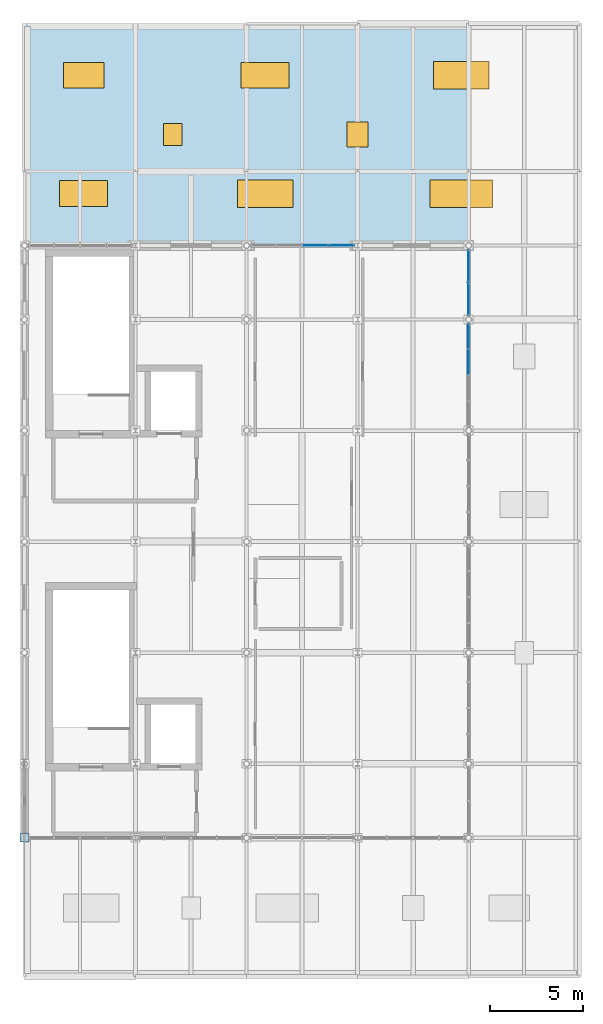
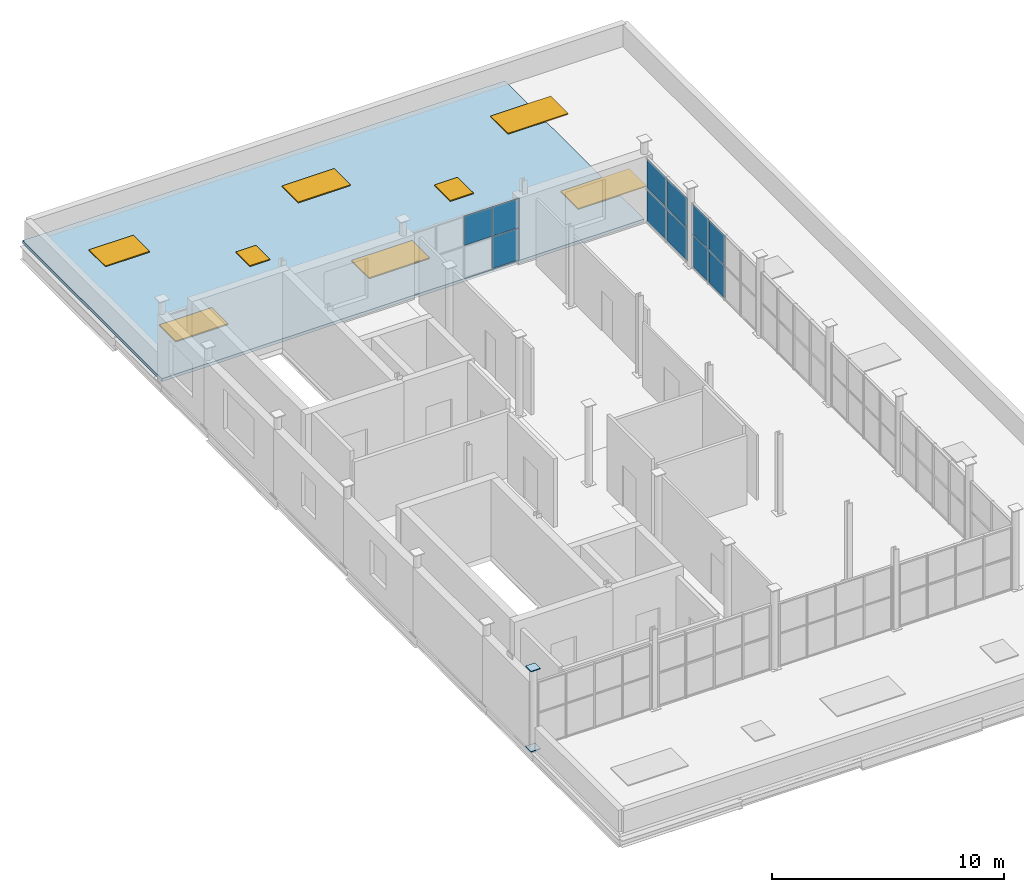
# One storey, part 23 of 27: 13 plates, 6 windows, 2 doors, 1 slab, 8 openings, 3 elements without a shape of their own.
"""IFC4 building model written with IfcOpenShell, lengths in metres."""

from ifc_helpers import new_model, si_unit, direction, frame, origin, origin_2d, place, context, subcontext, project, spatial, polyline, rectangle, outline, extrude, material, layer, layer_set, type_object, element, fill, aggregate, save


model = new_model("IFC4")

# Units and contexts
model_context = context("Model", 3, precision=1e-05, world=origin(), true_north=direction((0.0, 1.0)))
body_context = subcontext(model_context, "Body", "Model", "MODEL_VIEW")
ifc_project = project(units=[si_unit("LENGTHUNIT", "METRE"), si_unit("AREAUNIT", "SQUARE_METRE"), si_unit("VOLUMEUNIT", "CUBIC_METRE"), si_unit("PLANEANGLEUNIT", "RADIAN"), si_unit("MASSUNIT", "GRAM", prefix="KILO")], contexts=[model_context])

# Site, building, storey
site_placement = place(None, origin())
site = spatial("IfcSite", under=ifc_project, at=site_placement, CompositionType="ELEMENT")
building_placement = place(site_placement, origin())
building = spatial("IfcBuilding", under=site, at=building_placement, Name="Verrall Gate Interchange", CompositionType="ELEMENT")
storey_placement = place(building_placement, frame((0.0, 0.0, 28.60009765625)))
storey = spatial("IfcBuildingStorey", under=building, at=storey_placement, Name="L07", CompositionType="ELEMENT", Elevation=28.60009765625)

# Plates
ifc_material_1 = material(Name="Structural Steel CSA G40.21 350WT Cat 4", Category="steel")
ifc_layer_1 = layer(ifc_material_1, 0.0400390625)
ifc_layer_set_1 = layer_set([ifc_layer_1], Name="Structural Steel CSA G40.21 350WT Cat 4")
plate_type_1 = type_object("IfcPlateType", Name="BP-01 Base Plate 40", PredefinedType="USERDEFINED", material=ifc_layer_set_1)
for number, where, z_axis, x_axis, name in (
    (1, (6.0, 12.0, -0.02001953125), (0.0, 0.0, 1.0), (1.0, 0.0, 0.0), "L07 Hollow Column Transition Cap Plate 0152"),
    (2, (6.0, 12.0, 4.199951171875), (0.0, 0.0, 1.0), (1.0, 0.0, 0.0), "L07 Hollow Column Top Cap Plate 0153"),
):
    element("IfcPlate", number, at=place(storey_placement, frame(where, z_axis=z_axis, x_axis=x_axis)), inside=storey, type_object=plate_type_1, Name=name, ObjectType="BASE_PLATE", PredefinedType="USERDEFINED", context=body_context, shape_type="SweptSolid", body=[
        extrude(rectangle(XDim=0.47998046875, YDim=0.47998046875, at=origin_2d()), origin(), (0.0, 0.0, 1.0), 0.0400390625),
    ])

# Curtain wall, plates
ifc_material_2 = material(Name="Thermally Broken Anodized Aluminium Curtain Wall Framing", Category="aluminium")
curtain_wall_type_1 = type_object("IfcCurtainWallType", Name="CW-50 Unitized Curtain Wall 5647x3420", PredefinedType="NOTDEFINED", material=ifc_material_2)
curtain_wall_1_placement = place(storey_placement, origin())
curtain_wall_1 = element("IfcCurtainWall", 3, at=curtain_wall_1_placement, inside=storey, type_object=curtain_wall_type_1, Name="L07 Unitized Curtain Wall CW-L07-160", PredefinedType="NOTDEFINED")
ifc_material_3 = material(Name="Triple-Glazed Low-E Argon Insulated Curtain Panel (U=1.45)", Category="glass")
ifc_layer_2 = layer(ifc_material_3, 0.030029296875)
ifc_layer_set_2 = layer_set([ifc_layer_2], Name="Triple-Glazed Low-E Argon Insulated Curtain Panel (U=1.45)")
plate_type_2 = type_object("IfcPlateType", Name="CP-01 Curtain Glazing Panel 30", PredefinedType="CURTAIN_PANEL", material=ifc_layer_set_2)
plate_1_placement = place(storey_placement, frame((30.0, 37.701416015625, 0.054443359375), z_axis=(0.0, 0.0, 1.0), x_axis=(0.0, 1.0, 0.0)))
plate_1 = element("IfcPlate", 4, at=plate_1_placement, type_object=plate_type_2, Name="CW-L07-160 Glazing Panel 3.1", PredefinedType="CURTAIN_PANEL", context=body_context, shape_type="SweptSolid", body=[
    extrude(rectangle(XDim=1.35888671875, YDim=0.030029296875, at=origin_2d()), origin(), (0.0, 0.0, 1.0), 1.70166015625),
])
plate_2_placement = place(storey_placement, frame((30.0, 37.701416015625, 1.80029296875), z_axis=(0.0, 0.0, 1.0), x_axis=(0.0, 1.0, 0.0)))
plate_2 = element("IfcPlate", 5, at=plate_2_placement, type_object=plate_type_2, Name="CW-L07-160 Glazing Panel 3.2", PredefinedType="CURTAIN_PANEL", context=body_context, shape_type="SweptSolid", body=[
    extrude(rectangle(XDim=1.35888671875, YDim=0.030029296875, at=origin_2d()), origin(), (0.0, 0.0, 1.0), 1.56494140625),
])
plate_3_placement = place(storey_placement, frame((30.0, 39.08837890625, 0.054443359375), z_axis=(0.0, 0.0, 1.0), x_axis=(0.0, 1.0, 0.0)))
plate_3 = element("IfcPlate", 6, at=plate_3_placement, type_object=plate_type_2, Name="CW-L07-160 Glazing Panel 4.1", PredefinedType="CURTAIN_PANEL", context=body_context, shape_type="SweptSolid", body=[
    extrude(rectangle(XDim=1.326416015625, YDim=0.030029296875, at=origin_2d()), origin(), (0.0, 0.0, 1.0), 1.70166015625),
])
plate_4_placement = place(storey_placement, frame((30.0, 39.08837890625, 1.80029296875), z_axis=(0.0, 0.0, 1.0), x_axis=(0.0, 1.0, 0.0)))
plate_4 = element("IfcPlate", 7, at=plate_4_placement, type_object=plate_type_2, Name="CW-L07-160 Glazing Panel 4.2", PredefinedType="CURTAIN_PANEL", context=body_context, shape_type="SweptSolid", body=[
    extrude(rectangle(XDim=1.326416015625, YDim=0.030029296875, at=origin_2d()), origin(), (0.0, 0.0, 1.0), 1.56494140625),
])
aggregate(curtain_wall_1, [plate_1, plate_2, plate_3, plate_4])

ifc_material_4 = material(Name="Thermally Broken Anodized Aluminium Curtain Wall Framing", Category="aluminium")
curtain_wall_type_2 = type_object("IfcCurtainWallType", Name="CW-41 Unitized Curtain Wall 3612x3410", PredefinedType="NOTDEFINED", material=ifc_material_4)
curtain_wall_2_placement = place(storey_placement, origin())
curtain_wall_2 = element("IfcCurtainWall", 8, at=curtain_wall_2_placement, inside=storey, type_object=curtain_wall_type_2, Name="L07 Unitized Curtain Wall CW-L07-161", PredefinedType="NOTDEFINED")
plate_5_placement = place(storey_placement, frame((30.0, 41.11572265625, 0.06298828125), z_axis=(0.0, 0.0, 1.0), x_axis=(0.0, 1.0, 0.0)))
plate_5 = element("IfcPlate", 9, at=plate_5_placement, type_object=plate_type_2, Name="CW-L07-161 Glazing Panel 1.1", PredefinedType="CURTAIN_PANEL", context=body_context, shape_type="SweptSolid", body=[
    extrude(rectangle(XDim=1.717529296875, YDim=0.030029296875, at=origin_2d()), origin(), (0.0, 0.0, 1.0), 1.68994140625),
])
plate_6_placement = place(storey_placement, frame((30.0, 41.11572265625, 1.8037109375), z_axis=(0.0, 0.0, 1.0), x_axis=(0.0, 1.0, 0.0)))
plate_6 = element("IfcPlate", 10, at=plate_6_placement, type_object=plate_type_2, Name="CW-L07-161 Glazing Panel 1.2", PredefinedType="CURTAIN_PANEL", context=body_context, shape_type="SweptSolid", body=[
    extrude(rectangle(XDim=1.717529296875, YDim=0.030029296875, at=origin_2d()), origin(), (0.0, 0.0, 1.0), 1.552978515625),
])
plate_7_placement = place(storey_placement, frame((30.0, 42.88427734375, 0.06298828125), z_axis=(0.0, 0.0, 1.0), x_axis=(0.0, 1.0, 0.0)))
plate_7 = element("IfcPlate", 11, at=plate_7_placement, type_object=plate_type_2, Name="CW-L07-161 Glazing Panel 2.1", PredefinedType="CURTAIN_PANEL", context=body_context, shape_type="SweptSolid", body=[
    extrude(rectangle(XDim=1.717529296875, YDim=0.030029296875, at=origin_2d()), origin(), (0.0, 0.0, 1.0), 1.68994140625),
])
plate_8_placement = place(storey_placement, frame((30.0, 42.88427734375, 1.8037109375), z_axis=(0.0, 0.0, 1.0), x_axis=(0.0, 1.0, 0.0)))
plate_8 = element("IfcPlate", 12, at=plate_8_placement, type_object=plate_type_2, Name="CW-L07-161 Glazing Panel 2.2", PredefinedType="CURTAIN_PANEL", context=body_context, shape_type="SweptSolid", body=[
    extrude(rectangle(XDim=1.717529296875, YDim=0.030029296875, at=origin_2d()), origin(), (0.0, 0.0, 1.0), 1.552978515625),
])
aggregate(curtain_wall_2, [plate_5, plate_6, plate_7, plate_8])

ifc_material_5 = material(Name="Thermally Broken Anodized Aluminium Curtain Wall Framing", Category="aluminium")
curtain_wall_type_3 = type_object("IfcCurtainWallType", Name="CW-43 Unitized Curtain Wall 5612x3310", PredefinedType="NOTDEFINED", material=ifc_material_5)
curtain_wall_3_placement = place(storey_placement, origin())
curtain_wall_3 = element("IfcCurtainWall", 13, at=curtain_wall_3_placement, inside=storey, type_object=curtain_wall_type_3, Name="L07 Unitized Curtain Wall CW-L07-162", PredefinedType="NOTDEFINED")
ifc_material_6 = material(Name="Triple-Glazed Low-E Argon Insulated Curtain Panel (U=1.45)", Category="glass")
ifc_layer_3 = layer(ifc_material_6, 0.0400390625)
ifc_layer_set_3 = layer_set([ifc_layer_3], Name="Triple-Glazed Low-E Argon Insulated Curtain Panel (U=1.45)")
plate_type_3 = type_object("IfcPlateType", Name="CP-02 Curtain Glazing Panel 40", PredefinedType="CURTAIN_PANEL", material=ifc_layer_set_3)
plate_9_placement = place(storey_placement, frame((23.118896484375, 44.0, 0.054443359375), z_axis=(0.0, 0.0, 1.0), x_axis=(-1.0, 0.0, 0.0)))
plate_9 = element("IfcPlate", 14, at=plate_9_placement, type_object=plate_type_3, Name="CW-L07-162 Glazing Panel 1.1", PredefinedType="CURTAIN_PANEL", context=body_context, shape_type="SweptSolid", body=[
    extrude(rectangle(XDim=1.335205078125, YDim=0.0400390625, at=origin_2d()), origin(), (0.0, 0.0, 1.0), 1.66015625),
])
plate_10_placement = place(storey_placement, frame((23.118896484375, 44.0, 1.7587890625), z_axis=(0.0, 0.0, 1.0), x_axis=(-1.0, 0.0, 0.0)))
plate_10 = element("IfcPlate", 15, at=plate_10_placement, type_object=plate_type_3, Name="CW-L07-162 Glazing Panel 1.2", PredefinedType="CURTAIN_PANEL", context=body_context, shape_type="SweptSolid", body=[
    extrude(rectangle(XDim=1.335205078125, YDim=0.0400390625, at=origin_2d()), origin(), (0.0, 0.0, 1.0), 1.526611328125),
])
plate_11_placement = place(storey_placement, frame((21.723388671875, 44.0, 1.7587890625), z_axis=(0.0, 0.0, 1.0), x_axis=(-1.0, 0.0, 0.0)))
plate_11 = element("IfcPlate", 16, at=plate_11_placement, type_object=plate_type_3, Name="CW-L07-162 Glazing Panel 2.2", PredefinedType="CURTAIN_PANEL", context=body_context, shape_type="SweptSolid", body=[
    extrude(rectangle(XDim=1.36767578125, YDim=0.0400390625, at=origin_2d()), origin(), (0.0, 0.0, 1.0), 1.526611328125),
])
aggregate(curtain_wall_3, [plate_9, plate_10, plate_11])

# Slab, openings, doors, windows
ifc_material_7 = material(Name="Concrete CSA A23.1 40 MPa (Class C-1)", Category="concrete")
ifc_layer_4 = layer(ifc_material_7, 0.159912109375)
ifc_layer_set_4 = layer_set([ifc_layer_4], Name="Concrete CSA A23.1 40 MPa (Class C-1)")
slab_type = type_object("IfcSlabType", Name="RS-03 Roof Slab 160", PredefinedType="ROOF", material=ifc_layer_set_4)
slab_placement = place(storey_placement, frame((0.0, 0.0, -0.16015625)))
slab = element("IfcSlab", 17, at=slab_placement, inside=storey, type_object=slab_type, Name="L07 Structural Slab SLB-L07-MR3", PredefinedType="ROOF", context=body_context, shape_type="SweptSolid", body=[
    extrude(outline(polyline([(6.0, 56.0), (30.0, 56.0), (30.0, 44.0), (18.0, 44.0), (6.0, 44.0), (6.0, 56.0)])), origin(), (0.0, 0.0, 1.0), 0.16015625),
])
opening_1_placement = place(slab_placement, frame((14.0, 50.0, 0.0)))
opening_1 = element("IfcOpeningElement", 18, at=opening_1_placement, cuts=slab, Name="Opening RH07", PredefinedType="OPENING", context=body_context, shape_type="SweptSolid", body=[
    extrude(rectangle(XDim=1.0, YDim=1.199951171875, at=origin_2d()), frame((0.0, 0.0, -0.014892578125)), (0.0, 0.0, 1.0), 0.239990234375),
])
opening_2_placement = place(slab_placement, frame((24.0, 50.0, 0.0)))
opening_2 = element("IfcOpeningElement", 19, at=opening_2_placement, cuts=slab, Name="Opening RH08", PredefinedType="OPENING", context=body_context, shape_type="SweptSolid", body=[
    extrude(rectangle(XDim=1.14990234375, YDim=1.35009765625, at=origin_2d()), frame((0.0, 0.0, -0.014892578125)), (0.0, 0.0, 1.0), 0.239990234375),
])
opening_3_placement = place(slab_placement, frame((9.199951171875, 46.800048828125, 0.0)))
opening_3 = element("IfcOpeningElement", 20, at=opening_3_placement, cuts=slab, Name="Opening SK-02", PredefinedType="OPENING", context=body_context, shape_type="SweptSolid", body=[
    extrude(rectangle(XDim=2.60009765625, YDim=1.39990234375, at=origin_2d()), frame((0.0, 0.0, -0.014892578125)), (0.0, 0.0, 1.0), 0.239990234375),
])
opening_4_placement = place(slab_placement, frame((19.0, 46.800048828125, 0.0)))
opening_4 = element("IfcOpeningElement", 21, at=opening_4_placement, cuts=slab, Name="Opening SK-03", PredefinedType="OPENING", context=body_context, shape_type="SweptSolid", body=[
    extrude(rectangle(XDim=3.0, YDim=1.5, at=origin_2d()), frame((0.0, 0.0, -0.014892578125)), (0.0, 0.0, 1.0), 0.239990234375),
])
opening_5_placement = place(slab_placement, frame((29.60009765625, 46.800048828125, 0.0)))
opening_5 = element("IfcOpeningElement", 22, at=opening_5_placement, cuts=slab, Name="Opening SK-04", PredefinedType="OPENING", context=body_context, shape_type="SweptSolid", body=[
    extrude(rectangle(XDim=3.39990234375, YDim=1.5, at=origin_2d()), frame((0.0, 0.0, -0.014892578125)), (0.0, 0.0, 1.0), 0.239990234375),
])
opening_6_placement = place(slab_placement, frame((9.199951171875, 53.199951171875, 0.0)))
opening_6 = element("IfcOpeningElement", 23, at=opening_6_placement, cuts=slab, Name="Opening SK-01", PredefinedType="OPENING", context=body_context, shape_type="SweptSolid", body=[
    extrude(rectangle(XDim=2.199951171875, YDim=1.39990234375, at=origin_2d()), frame((0.0, 0.0, -0.014892578125)), (0.0, 0.0, 1.0), 0.239990234375),
])
opening_7_placement = place(slab_placement, frame((19.0, 53.199951171875, 0.0)))
opening_7 = element("IfcOpeningElement", 24, at=opening_7_placement, cuts=slab, Name="Opening SK-02", PredefinedType="OPENING", context=body_context, shape_type="SweptSolid", body=[
    extrude(rectangle(XDim=2.60009765625, YDim=1.39990234375, at=origin_2d()), frame((0.0, 0.0, -0.014892578125)), (0.0, 0.0, 1.0), 0.239990234375),
])
opening_8_placement = place(slab_placement, frame((29.60009765625, 53.199951171875, 0.0)))
opening_8 = element("IfcOpeningElement", 25, at=opening_8_placement, cuts=slab, Name="Opening SK-03", PredefinedType="OPENING", context=body_context, shape_type="SweptSolid", body=[
    extrude(rectangle(XDim=3.0, YDim=1.5, at=origin_2d()), frame((0.0, 0.0, -0.014892578125)), (0.0, 0.0, 1.0), 0.239990234375),
])
ifc_material_8 = material(Name="Thermally Broken Bronze-Anodized Aluminium Entrance Assembly", Category="aluminium")
door_type_1 = type_object("IfcDoorType", Name="RH-01 Roof Access Hatch 1000x1200", OperationType="NOTDEFINED", PredefinedType="TRAPDOOR", material=ifc_material_8)
door_1_placement = place(opening_1_placement, frame((0.0, 0.0, 0.16015625)))
door_1 = element("IfcDoor", 26, at=door_1_placement, inside=storey, type_object=door_type_1, Name="L07 Insulated Maintenance Roof Hatch RH07", OperationType="SINGLE_SWING_LEFT", OverallHeight=1.199951171875, OverallWidth=1.0, PredefinedType="TRAPDOOR", context=body_context, shape_type="SweptSolid", body=[
    extrude(rectangle(XDim=1.0, YDim=1.199951171875, at=origin_2d()), origin(), (0.0, 0.0, 1.0), 0.050048828125),
])
fill(opening_1, door_1)
ifc_material_9 = material(Name="Thermally Broken Bronze-Anodized Aluminium Entrance Assembly", Category="aluminium")
door_type_2 = type_object("IfcDoorType", Name="RH-02 Roof Access Hatch 1150x1350", OperationType="NOTDEFINED", PredefinedType="TRAPDOOR", material=ifc_material_9)
door_2_placement = place(opening_2_placement, frame((0.0, 0.0, 0.16015625)))
door_2 = element("IfcDoor", 27, at=door_2_placement, inside=storey, type_object=door_type_2, Name="L07 Insulated Maintenance Roof Hatch RH08", OperationType="SINGLE_SWING_LEFT", OverallHeight=1.35009765625, OverallWidth=1.14990234375, PredefinedType="TRAPDOOR", context=body_context, shape_type="SweptSolid", body=[
    extrude(rectangle(XDim=1.14990234375, YDim=1.35009765625, at=origin_2d()), origin(), (0.0, 0.0, 1.0), 0.050048828125),
])
fill(opening_2, door_2)
ifc_material_10 = material(Name="Triple-Glazed Low-E Argon Bronze-Clad Window Unit (U=1.40)", Category="glass")
window_type_1 = type_object("IfcWindowType", Name="SK-01 Clerestory Roof Skylight 2200x1400", PartitioningType="SINGLE_PANEL", PredefinedType="SKYLIGHT", material=ifc_material_10)
window_1_placement = place(opening_6_placement, frame((0.0, 0.0, 0.16015625)))
window_1 = element("IfcWindow", 28, at=window_1_placement, inside=storey, type_object=window_type_1, Name="L07 Roof Skylight 13 (SK-01)", OverallHeight=1.39990234375, OverallWidth=2.199951171875, PartitioningType="SINGLE_PANEL", PredefinedType="SKYLIGHT", context=body_context, shape_type="SweptSolid", body=[
    extrude(rectangle(XDim=2.199951171875, YDim=1.39990234375, at=origin_2d()), origin(), (0.0, 0.0, 1.0), 0.050048828125),
])
fill(opening_6, window_1)
ifc_material_11 = material(Name="Triple-Glazed Low-E Argon Bronze-Clad Window Unit (U=1.40)", Category="glass")
window_type_2 = type_object("IfcWindowType", Name="SK-02 Clerestory Roof Skylight 2600x1400", PartitioningType="SINGLE_PANEL", PredefinedType="SKYLIGHT", material=ifc_material_11)
window_2_placement = place(opening_3_placement, frame((0.0, 0.0, 0.16015625)))
window_2 = element("IfcWindow", 29, at=window_2_placement, inside=storey, type_object=window_type_2, Name="L07 Roof Skylight 10 (SK-02)", OverallHeight=1.39990234375, OverallWidth=2.60009765625, PartitioningType="SINGLE_PANEL", PredefinedType="SKYLIGHT", context=body_context, shape_type="SweptSolid", body=[
    extrude(rectangle(XDim=2.60009765625, YDim=1.39990234375, at=origin_2d()), origin(), (0.0, 0.0, 1.0), 0.050048828125),
])
fill(opening_3, window_2)
window_3_placement = place(opening_7_placement, frame((0.0, 0.0, 0.16015625)))
window_3 = element("IfcWindow", 30, at=window_3_placement, inside=storey, type_object=window_type_2, Name="L07 Roof Skylight 14 (SK-02)", OverallHeight=1.39990234375, OverallWidth=2.60009765625, PartitioningType="SINGLE_PANEL", PredefinedType="SKYLIGHT", context=body_context, shape_type="SweptSolid", body=[
    extrude(rectangle(XDim=2.60009765625, YDim=1.39990234375, at=origin_2d()), origin(), (0.0, 0.0, 1.0), 0.050048828125),
])
fill(opening_7, window_3)
ifc_material_12 = material(Name="Triple-Glazed Low-E Argon Bronze-Clad Window Unit (U=1.40)", Category="glass")
window_type_3 = type_object("IfcWindowType", Name="SK-03 Clerestory Roof Skylight 3000x1500", PartitioningType="SINGLE_PANEL", PredefinedType="SKYLIGHT", material=ifc_material_12)
window_4_placement = place(opening_4_placement, frame((0.0, 0.0, 0.16015625)))
window_4 = element("IfcWindow", 31, at=window_4_placement, inside=storey, type_object=window_type_3, Name="L07 Roof Skylight 11 (SK-03)", OverallHeight=1.5, OverallWidth=3.0, PartitioningType="SINGLE_PANEL", PredefinedType="SKYLIGHT", context=body_context, shape_type="SweptSolid", body=[
    extrude(rectangle(XDim=3.0, YDim=1.5, at=origin_2d()), origin(), (0.0, 0.0, 1.0), 0.050048828125),
])
fill(opening_4, window_4)
window_5_placement = place(opening_8_placement, frame((0.0, 0.0, 0.16015625)))
window_5 = element("IfcWindow", 32, at=window_5_placement, inside=storey, type_object=window_type_3, Name="L07 Roof Skylight 15 (SK-03)", OverallHeight=1.5, OverallWidth=3.0, PartitioningType="SINGLE_PANEL", PredefinedType="SKYLIGHT", context=body_context, shape_type="SweptSolid", body=[
    extrude(rectangle(XDim=3.0, YDim=1.5, at=origin_2d()), origin(), (0.0, 0.0, 1.0), 0.050048828125),
])
fill(opening_8, window_5)
ifc_material_13 = material(Name="Triple-Glazed Low-E Argon Bronze-Clad Window Unit (U=1.40)", Category="glass")
window_type_4 = type_object("IfcWindowType", Name="SK-04 Clerestory Roof Skylight 3400x1500", PartitioningType="SINGLE_PANEL", PredefinedType="SKYLIGHT", material=ifc_material_13)
window_6_placement = place(opening_5_placement, frame((0.0, 0.0, 0.16015625)))
window_6 = element("IfcWindow", 33, at=window_6_placement, inside=storey, type_object=window_type_4, Name="L07 Roof Skylight 12 (SK-04)", OverallHeight=1.5, OverallWidth=3.39990234375, PartitioningType="SINGLE_PANEL", PredefinedType="SKYLIGHT", context=body_context, shape_type="SweptSolid", body=[
    extrude(rectangle(XDim=3.39990234375, YDim=1.5, at=origin_2d()), origin(), (0.0, 0.0, 1.0), 0.050048828125),
])
fill(opening_5, window_6)

save(model, "model.ifc")
